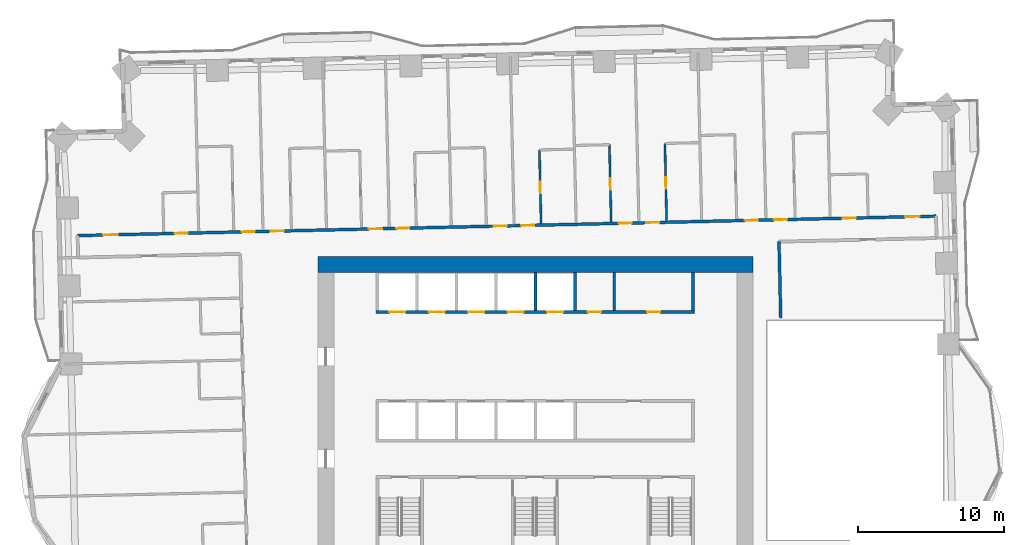
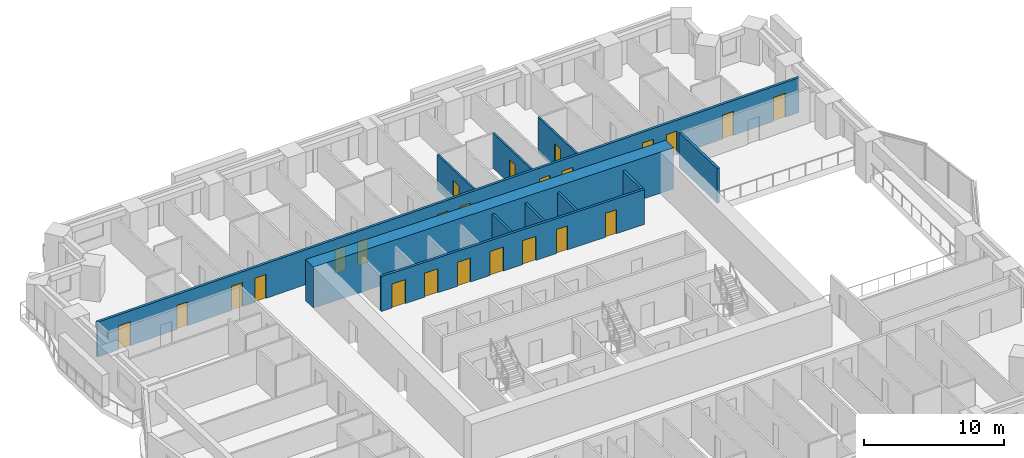
# One storey, part 10 of 16: 24 doors, 11 walls, 24 openings.
"""IFC4 building model written with IfcOpenShell, lengths in metres."""

from ifc_helpers import new_model, si_unit, direction, frame, frame_2d, origin, place, context, subcontext, project, spatial, rectangle, extrude, material, layer, layer_set, type_object, element, fill, save


model = new_model("IFC4")

# Units and contexts
model_context = context("Model", 3, precision=1e-05, world=origin(), true_north=direction((0.0, 1.0)))
body_context = subcontext(model_context, "Body", "Model", "MODEL_VIEW")
ifc_project = project(units=[si_unit("LENGTHUNIT", "METRE"), si_unit("AREAUNIT", "SQUARE_METRE"), si_unit("VOLUMEUNIT", "CUBIC_METRE"), si_unit("PLANEANGLEUNIT", "RADIAN"), si_unit("MASSUNIT", "GRAM", prefix="KILO")], contexts=[model_context])

# Site, building, storey
site_placement = place(None, origin())
site = spatial("IfcSite", under=ifc_project, at=site_placement, CompositionType="ELEMENT")
building_placement = place(site_placement, origin())
building = spatial("IfcBuilding", under=site, at=building_placement, Name="Mangrove Gate Tower", CompositionType="ELEMENT")
storey_placement = place(building_placement, frame((0.0, 0.0, 44.89990234375)))
storey = spatial("IfcBuildingStorey", under=building, at=storey_placement, Name="L10", CompositionType="ELEMENT", Elevation=44.89990234375)

# Walls
ifc_material_1 = material(Name="Concrete C32/40", Category="concrete")
ifc_layer_1 = layer(ifc_material_1, 0.199951171875)
ifc_layer_set_1 = layer_set([ifc_layer_1], Name="Core room wall 200 C32/40")
wall_type_1 = type_object("IfcWallType", Name="Core room wall 200 C32/40", PredefinedType="STANDARD", material=ifc_layer_set_1)
for number, where, z_axis, x_axis, name in (
    (1, (5.39990234375, 8.199951171875, 0.0), (0.0, 0.0, 1.0), (0.0, 1.0, 0.0), "WALL-L10-CORE-32"),
    (2, (10.800048828125, 8.199951171875, 0.0), (0.0, 0.0, 1.0), (0.0, 1.0, 0.0), "WALL-L10-CORE-33"),
):
    element("IfcWall", number, at=place(storey_placement, frame(where, z_axis=z_axis, x_axis=x_axis)), inside=storey, type_object=wall_type_1, Name=name, PredefinedType="STANDARD", context=body_context, shape_type="SweptSolid", body=[
        extrude(rectangle(XDim=2.60009765625, YDim=0.199951171875, at=frame_2d((1.300048828125, 0.0))), origin(), (0.0, 0.0, 1.0), 3.050048828125),
    ])

# Wall, openings, doors
ifc_material_2 = material(Name="Concrete C70/85", Category="concrete")
ifc_layer_2 = layer(ifc_material_2, 0.199951171875)
ifc_layer_set_2 = layer_set([ifc_layer_2], Name="Core shaft wall 200 C70/85")
wall_type_2 = type_object("IfcWallType", Name="Core shaft wall 200 C70/85", PredefinedType="SHEAR", material=ifc_layer_set_2)
wall_1_placement = place(storey_placement, frame((-10.89990234375, 8.10009765625, 0.0), z_axis=(0.0, 0.0, 1.0), x_axis=(1.0, 0.0, 0.0)))
wall_1 = element("IfcWall", 3, at=wall_1_placement, inside=storey, type_object=wall_type_2, Name="WALL-L10-CORE-8", PredefinedType="SHEAR", context=body_context, shape_type="SweptSolid", body=[
    extrude(rectangle(XDim=21.7998046875, YDim=0.199951171875, at=frame_2d((10.89990234375, 0.0))), origin(), (0.0, 0.0, 1.0), 3.050048828125),
])
opening_1_placement = place(wall_1_placement, frame((0.89990234375, 0.0, 0.0)))
opening_1 = element("IfcOpeningElement", 4, at=opening_1_placement, cuts=wall_1, Name="Opening LD", PredefinedType="OPENING", context=body_context, shape_type="SweptSolid", body=[
    extrude(rectangle(XDim=1.10009765625, YDim=2.10009765625, at=frame_2d((0.550048828125, 1.050048828125))), frame((0.0, 0.10986328125, 0.0), z_axis=(0.0, -1.0, 0.0), x_axis=(1.0, 0.0, 0.0)), (0.0, 0.0, 1.0), 0.219970703125),
])
opening_2_placement = place(wall_1_placement, frame((3.60009765625, 0.0, 0.0)))
opening_2 = element("IfcOpeningElement", 5, at=opening_2_placement, cuts=wall_1, Name="Opening LD", PredefinedType="OPENING", context=body_context, shape_type="SweptSolid", body=[
    extrude(rectangle(XDim=1.10009765625, YDim=2.10009765625, at=frame_2d((0.550048828125, 1.050048828125))), frame((0.0, 0.10986328125, 0.0), z_axis=(0.0, -1.0, 0.0), x_axis=(1.0, 0.0, 0.0)), (0.0, 0.0, 1.0), 0.219970703125),
])
opening_3_placement = place(wall_1_placement, frame((6.300048828125, 0.0, 0.0)))
opening_3 = element("IfcOpeningElement", 6, at=opening_3_placement, cuts=wall_1, Name="Opening LD", PredefinedType="OPENING", context=body_context, shape_type="SweptSolid", body=[
    extrude(rectangle(XDim=1.10009765625, YDim=2.10009765625, at=frame_2d((0.550048828125, 1.050048828125))), frame((0.0, 0.10986328125, 0.0), z_axis=(0.0, -1.0, 0.0), x_axis=(1.0, 0.0, 0.0)), (0.0, 0.0, 1.0), 0.219970703125),
])
opening_4_placement = place(wall_1_placement, frame((9.0, 0.0, 0.0)))
opening_4 = element("IfcOpeningElement", 7, at=opening_4_placement, cuts=wall_1, Name="Opening LD", PredefinedType="OPENING", context=body_context, shape_type="SweptSolid", body=[
    extrude(rectangle(XDim=1.10009765625, YDim=2.10009765625, at=frame_2d((0.550048828125, 1.050048828125))), frame((0.0, 0.10986328125, 0.0), z_axis=(0.0, -1.0, 0.0), x_axis=(1.0, 0.0, 0.0)), (0.0, 0.0, 1.0), 0.219970703125),
])
opening_5_placement = place(wall_1_placement, frame((11.699951171875, 0.0, 0.0)))
opening_5 = element("IfcOpeningElement", 8, at=opening_5_placement, cuts=wall_1, Name="Opening LD", PredefinedType="OPENING", context=body_context, shape_type="SweptSolid", body=[
    extrude(rectangle(XDim=1.10009765625, YDim=2.10009765625, at=frame_2d((0.550048828125, 1.050048828125))), frame((0.0, 0.10986328125, 0.0), z_axis=(0.0, -1.0, 0.0), x_axis=(1.0, 0.0, 0.0)), (0.0, 0.0, 1.0), 0.219970703125),
])
opening_6_placement = place(wall_1_placement, frame((14.5, 0.0, 0.0)))
opening_6 = element("IfcOpeningElement", 9, at=opening_6_placement, cuts=wall_1, Name="Opening KD", PredefinedType="OPENING", context=body_context, shape_type="SweptSolid", body=[
    extrude(rectangle(XDim=0.89990234375, YDim=2.10009765625, at=frame_2d((0.449951171875, 1.050048828125))), frame((0.0, 0.10986328125, 0.0), z_axis=(0.0, -1.0, 0.0), x_axis=(1.0, 0.0, 0.0)), (0.0, 0.0, 1.0), 0.219970703125),
])
opening_7_placement = place(wall_1_placement, frame((18.550048828125, 0.0, 0.0)))
opening_7 = element("IfcOpeningElement", 10, at=opening_7_placement, cuts=wall_1, Name="Opening RD", PredefinedType="OPENING", context=body_context, shape_type="SweptSolid", body=[
    extrude(rectangle(XDim=0.89990234375, YDim=2.10009765625, at=frame_2d((0.449951171875, 1.050048828125))), frame((0.0, 0.10986328125, 0.0), z_axis=(0.0, -1.0, 0.0), x_axis=(1.0, 0.0, 0.0)), (0.0, 0.0, 1.0), 0.219970703125),
])
ifc_material_3 = material(Name="Fire-rated steel door set", Category="steel")
door_type_1 = type_object("IfcDoorType", Name="Core room door FD30S 900x2100", OperationType="SINGLE_SWING_RIGHT", PredefinedType="DOOR", material=ifc_material_3)
door_1_placement = place(opening_6_placement, origin())
door_1 = element("IfcDoor", 11, at=door_1_placement, inside=storey, type_object=door_type_1, Name="Core room door Linen store", OperationType="SINGLE_SWING_RIGHT", OverallHeight=2.10009765625, OverallWidth=0.89990234375, PredefinedType="DOOR", context=body_context, shape_type="SweptSolid", body=[
    extrude(rectangle(XDim=0.89990234375, YDim=2.10009765625, at=frame_2d((0.449951171875, 1.050048828125))), frame((0.0, 0.02490234375, 0.0), z_axis=(0.0, -1.0, 0.0), x_axis=(1.0, 0.0, 0.0)), (0.0, 0.0, 1.0), 0.050048828125),
])
fill(opening_6, door_1)
ifc_material_4 = material(Name="Stainless steel 316", Category="steel")
door_type_2 = type_object("IfcDoorType", Name="Lift landing door 1100x2100", OperationType="SLIDING_TO_LEFT", PredefinedType="DOOR", material=ifc_material_4)
door_2_placement = place(opening_1_placement, origin())
door_2 = element("IfcDoor", 12, at=door_2_placement, inside=storey, type_object=door_type_2, Name="Landing door LD P06", OperationType="SLIDING_TO_LEFT", OverallHeight=2.10009765625, OverallWidth=1.10009765625, PredefinedType="DOOR", context=body_context, shape_type="SweptSolid", body=[
    extrude(rectangle(XDim=1.10009765625, YDim=2.10009765625, at=frame_2d((0.550048828125, 1.050048828125))), frame((0.0, 0.02490234375, 0.0), z_axis=(0.0, -1.0, 0.0), x_axis=(1.0, 0.0, 0.0)), (0.0, 0.0, 1.0), 0.050048828125),
])
fill(opening_1, door_2)
door_3_placement = place(opening_2_placement, origin())
door_3 = element("IfcDoor", 13, at=door_3_placement, inside=storey, type_object=door_type_2, Name="Landing door LD P07", OperationType="SLIDING_TO_LEFT", OverallHeight=2.10009765625, OverallWidth=1.10009765625, PredefinedType="DOOR", context=body_context, shape_type="SweptSolid", body=[
    extrude(rectangle(XDim=1.10009765625, YDim=2.10009765625, at=frame_2d((0.550048828125, 1.050048828125))), frame((0.0, 0.02490234375, 0.0), z_axis=(0.0, -1.0, 0.0), x_axis=(1.0, 0.0, 0.0)), (0.0, 0.0, 1.0), 0.050048828125),
])
fill(opening_2, door_3)
door_4_placement = place(opening_3_placement, origin())
door_4 = element("IfcDoor", 14, at=door_4_placement, inside=storey, type_object=door_type_2, Name="Landing door LD P08", OperationType="SLIDING_TO_LEFT", OverallHeight=2.10009765625, OverallWidth=1.10009765625, PredefinedType="DOOR", context=body_context, shape_type="SweptSolid", body=[
    extrude(rectangle(XDim=1.10009765625, YDim=2.10009765625, at=frame_2d((0.550048828125, 1.050048828125))), frame((0.0, 0.02490234375, 0.0), z_axis=(0.0, -1.0, 0.0), x_axis=(1.0, 0.0, 0.0)), (0.0, 0.0, 1.0), 0.050048828125),
])
fill(opening_3, door_4)
door_5_placement = place(opening_4_placement, origin())
door_5 = element("IfcDoor", 15, at=door_5_placement, inside=storey, type_object=door_type_2, Name="Landing door LD P09", OperationType="SLIDING_TO_LEFT", OverallHeight=2.10009765625, OverallWidth=1.10009765625, PredefinedType="DOOR", context=body_context, shape_type="SweptSolid", body=[
    extrude(rectangle(XDim=1.10009765625, YDim=2.10009765625, at=frame_2d((0.550048828125, 1.050048828125))), frame((0.0, 0.02490234375, 0.0), z_axis=(0.0, -1.0, 0.0), x_axis=(1.0, 0.0, 0.0)), (0.0, 0.0, 1.0), 0.050048828125),
])
fill(opening_4, door_5)
door_6_placement = place(opening_5_placement, origin())
door_6 = element("IfcDoor", 16, at=door_6_placement, inside=storey, type_object=door_type_2, Name="Landing door LD P10", OperationType="SLIDING_TO_LEFT", OverallHeight=2.10009765625, OverallWidth=1.10009765625, PredefinedType="DOOR", context=body_context, shape_type="SweptSolid", body=[
    extrude(rectangle(XDim=1.10009765625, YDim=2.10009765625, at=frame_2d((0.550048828125, 1.050048828125))), frame((0.0, 0.02490234375, 0.0), z_axis=(0.0, -1.0, 0.0), x_axis=(1.0, 0.0, 0.0)), (0.0, 0.0, 1.0), 0.050048828125),
])
fill(opening_5, door_6)
ifc_material_5 = material(Name="Fire-rated steel door set", Category="steel")
door_type_3 = type_object("IfcDoorType", Name="Riser door FD30S 900x2100", OperationType="SINGLE_SWING_LEFT", PredefinedType="DOOR", material=ifc_material_5)
door_7_placement = place(opening_7_placement, origin())
door_7 = element("IfcDoor", 17, at=door_7_placement, inside=storey, type_object=door_type_3, Name="Riser door Switch room", OperationType="SINGLE_SWING_LEFT", OverallHeight=2.10009765625, OverallWidth=0.89990234375, PredefinedType="DOOR", context=body_context, shape_type="SweptSolid", body=[
    extrude(rectangle(XDim=0.89990234375, YDim=2.10009765625, at=frame_2d((0.449951171875, 1.050048828125))), frame((0.0, 0.02490234375, 0.0), z_axis=(0.0, -1.0, 0.0), x_axis=(1.0, 0.0, 0.0)), (0.0, 0.0, 1.0), 0.050048828125),
])
fill(opening_7, door_7)

# Walls
for number, where, z_axis, x_axis, name in (
    (18, (0.0, 8.199951171875, 0.0), (0.0, 0.0, 1.0), (0.0, 1.0, 0.0), "WALL-L10-CORE-30"),
    (19, (2.699951171875, 8.199951171875, 0.0), (0.0, 0.0, 1.0), (0.0, 1.0, 0.0), "WALL-L10-CORE-31"),
):
    element("IfcWall", number, at=place(storey_placement, frame(where, z_axis=z_axis, x_axis=x_axis)), inside=storey, type_object=wall_type_2, Name=name, PredefinedType="SHEAR", context=body_context, shape_type="SweptSolid", body=[
        extrude(rectangle(XDim=2.60009765625, YDim=0.199951171875, at=frame_2d((1.300048828125, 0.0))), origin(), (0.0, 0.0, 1.0), 3.050048828125),
    ])
ifc_material_6 = material(Name="Concrete C70/85", Category="concrete")
ifc_layer_3 = layer(ifc_material_6, 1.10009765625)
ifc_layer_set_3 = layer_set([ifc_layer_3], Name="Core wall 1100 C70/85")
wall_type_3 = type_object("IfcWallType", Name="Core wall 1100 C70/85", PredefinedType="SHEAR", material=ifc_layer_set_3)
wall_2_placement = place(storey_placement, frame((-14.89990234375, 11.35009765625, 0.0), z_axis=(0.0, 0.0, 1.0), x_axis=(1.0, 0.0, 0.0)))
element("IfcWall", 20, at=wall_2_placement, inside=storey, type_object=wall_type_3, Name="WALL-L10-CORE-2", PredefinedType="SHEAR", context=body_context, shape_type="SweptSolid", body=[
    extrude(rectangle(XDim=29.7998046875, YDim=1.10009765625, at=frame_2d((14.89990234375, 0.0))), origin(), (0.0, 0.0, 1.0), 3.60009765625),
])
ifc_material_7 = material(Name="Gypsum board on steel stud, EI 60", Category="steel")
ifc_layer_4 = layer(ifc_material_7, 0.199951171875)
ifc_layer_set_4 = layer_set([ifc_layer_4], Name="Corridor wall EI 60")
wall_type_4 = type_object("IfcWallType", Name="Corridor wall EI 60", PredefinedType="PARTITIONING", material=ifc_layer_set_4)
wall_3_placement = place(storey_placement, frame((16.802978515625, 7.675048828125, 0.0), z_axis=(0.0, 0.0, 1.0), x_axis=(-0.022667483124, 0.999743059595, 0.0)))
element("IfcWall", 21, at=wall_3_placement, inside=storey, type_object=wall_type_4, Name="WALL-L10-053", PredefinedType="PARTITIONING", context=body_context, shape_type="SweptSolid", body=[
    extrude(rectangle(XDim=5.245361328125, YDim=0.199951171875, at=frame_2d((2.62255859375, 0.0))), origin(), (0.0, 0.0, 1.0), 3.050048828125),
])

# Wall, openings, doors
wall_4_placement = place(storey_placement, frame((-31.346923828125, 13.3291015625, 0.0), z_axis=(0.0, 0.0, 1.0), x_axis=(0.999742613079, 0.022687168058, 0.0)))
wall_4 = element("IfcWall", 22, at=wall_4_placement, inside=storey, type_object=wall_type_4, Name="WALL-L10-061", PredefinedType="PARTITIONING", context=body_context, shape_type="SweptSolid", body=[
    extrude(rectangle(XDim=58.799072265625, YDim=0.199951171875, at=frame_2d((29.3994140625, 0.0))), origin(), (0.0, 0.0, 1.0), 3.050048828125),
])
opening_8_placement = place(wall_4_placement, frame((56.675048828125, 0.0, 0.0)))
opening_8 = element("IfcOpeningElement", 23, at=opening_8_placement, cuts=wall_4, Name="Opening AD", PredefinedType="OPENING", context=body_context, shape_type="SweptSolid", body=[
    extrude(rectangle(XDim=1.0, YDim=2.10009765625, at=frame_2d((0.5, 1.050048828125))), frame((0.0, 0.10986328125, 0.0), z_axis=(0.0, -1.0, 0.0), x_axis=(1.0, 0.0, 0.0)), (0.0, 0.0, 1.0), 0.219970703125),
])
opening_9_placement = place(wall_4_placement, frame((52.39990234375, 0.0, 0.0)))
opening_9 = element("IfcOpeningElement", 24, at=opening_9_placement, cuts=wall_4, Name="Opening SD", PredefinedType="OPENING", context=body_context, shape_type="SweptSolid", body=[
    extrude(rectangle(XDim=0.89990234375, YDim=2.10009765625, at=frame_2d((0.449951171875, 1.050048828125))), frame((0.0, 0.10986328125, 0.0), z_axis=(0.0, -1.0, 0.0), x_axis=(1.0, 0.0, 0.0)), (0.0, 0.0, 1.0), 0.219970703125),
])
opening_10_placement = place(wall_4_placement, frame((47.699951171875, 0.0, 0.0)))
opening_10 = element("IfcOpeningElement", 25, at=opening_10_placement, cuts=wall_4, Name="Opening BD", PredefinedType="OPENING", context=body_context, shape_type="SweptSolid", body=[
    extrude(rectangle(XDim=0.89990234375, YDim=2.10009765625, at=frame_2d((0.449951171875, 1.050048828125))), frame((0.0, 0.10986328125, 0.0), z_axis=(0.0, -1.0, 0.0), x_axis=(1.0, 0.0, 0.0)), (0.0, 0.0, 1.0), 0.219970703125),
])
opening_11_placement = place(wall_4_placement, frame((45.699951171875, 0.0, 0.0)))
opening_11 = element("IfcOpeningElement", 26, at=opening_11_placement, cuts=wall_4, Name="Opening BD", PredefinedType="OPENING", context=body_context, shape_type="SweptSolid", body=[
    extrude(rectangle(XDim=0.89990234375, YDim=2.10009765625, at=frame_2d((0.449951171875, 1.050048828125))), frame((0.0, 0.10986328125, 0.0), z_axis=(0.0, -1.0, 0.0), x_axis=(1.0, 0.0, 0.0)), (0.0, 0.0, 1.0), 0.219970703125),
])
opening_12_placement = place(wall_4_placement, frame((38.949951171875, 0.0, 0.0)))
opening_12 = element("IfcOpeningElement", 27, at=opening_12_placement, cuts=wall_4, Name="Opening BD", PredefinedType="OPENING", context=body_context, shape_type="SweptSolid", body=[
    extrude(rectangle(XDim=0.89990234375, YDim=2.10009765625, at=frame_2d((0.449951171875, 1.050048828125))), frame((0.0, 0.10986328125, 0.0), z_axis=(0.0, -1.0, 0.0), x_axis=(1.0, 0.0, 0.0)), (0.0, 0.0, 1.0), 0.219970703125),
])
opening_13_placement = place(wall_4_placement, frame((37.050048828125, 0.0, 0.0)))
opening_13 = element("IfcOpeningElement", 28, at=opening_13_placement, cuts=wall_4, Name="Opening BD", PredefinedType="OPENING", context=body_context, shape_type="SweptSolid", body=[
    extrude(rectangle(XDim=0.89990234375, YDim=2.10009765625, at=frame_2d((0.449951171875, 1.050048828125))), frame((0.0, 0.10986328125, 0.0), z_axis=(0.0, -1.0, 0.0), x_axis=(1.0, 0.0, 0.0)), (0.0, 0.0, 1.0), 0.219970703125),
])
opening_14_placement = place(wall_4_placement, frame((30.375, 0.0, 0.0)))
opening_14 = element("IfcOpeningElement", 29, at=opening_14_placement, cuts=wall_4, Name="Opening BD", PredefinedType="OPENING", context=body_context, shape_type="SweptSolid", body=[
    extrude(rectangle(XDim=0.89990234375, YDim=2.10009765625, at=frame_2d((0.449951171875, 1.050048828125))), frame((0.0, 0.10986328125, 0.0), z_axis=(0.0, -1.0, 0.0), x_axis=(1.0, 0.0, 0.0)), (0.0, 0.0, 1.0), 0.219970703125),
])
opening_15_placement = place(wall_4_placement, frame((28.5, 0.0, 0.0)))
opening_15 = element("IfcOpeningElement", 30, at=opening_15_placement, cuts=wall_4, Name="Opening BD", PredefinedType="OPENING", context=body_context, shape_type="SweptSolid", body=[
    extrude(rectangle(XDim=0.89990234375, YDim=2.10009765625, at=frame_2d((0.449951171875, 1.050048828125))), frame((0.0, 0.10986328125, 0.0), z_axis=(0.0, -1.0, 0.0), x_axis=(1.0, 0.0, 0.0)), (0.0, 0.0, 1.0), 0.219970703125),
])
opening_16_placement = place(wall_4_placement, frame((21.824951171875, 0.0, 0.0)))
opening_16 = element("IfcOpeningElement", 31, at=opening_16_placement, cuts=wall_4, Name="Opening BD", PredefinedType="OPENING", context=body_context, shape_type="SweptSolid", body=[
    extrude(rectangle(XDim=0.89990234375, YDim=2.10009765625, at=frame_2d((0.449951171875, 1.050048828125))), frame((0.0, 0.10986328125, 0.0), z_axis=(0.0, -1.0, 0.0), x_axis=(1.0, 0.0, 0.0)), (0.0, 0.0, 1.0), 0.219970703125),
])
opening_17_placement = place(wall_4_placement, frame((19.949951171875, 0.0, 0.0)))
opening_17 = element("IfcOpeningElement", 32, at=opening_17_placement, cuts=wall_4, Name="Opening BD", PredefinedType="OPENING", context=body_context, shape_type="SweptSolid", body=[
    extrude(rectangle(XDim=0.89990234375, YDim=2.10009765625, at=frame_2d((0.449951171875, 1.050048828125))), frame((0.0, 0.10986328125, 0.0), z_axis=(0.0, -1.0, 0.0), x_axis=(1.0, 0.0, 0.0)), (0.0, 0.0, 1.0), 0.219970703125),
])
opening_18_placement = place(wall_4_placement, frame((13.22509765625, 0.0, 0.0)))
opening_18 = element("IfcOpeningElement", 33, at=opening_18_placement, cuts=wall_4, Name="Opening BD", PredefinedType="OPENING", context=body_context, shape_type="SweptSolid", body=[
    extrude(rectangle(XDim=0.89990234375, YDim=2.10009765625, at=frame_2d((0.449951171875, 1.050048828125))), frame((0.0, 0.10986328125, 0.0), z_axis=(0.0, -1.0, 0.0), x_axis=(1.0, 0.0, 0.0)), (0.0, 0.0, 1.0), 0.219970703125),
])
opening_19_placement = place(wall_4_placement, frame((11.25, 0.0, 0.0)))
opening_19 = element("IfcOpeningElement", 34, at=opening_19_placement, cuts=wall_4, Name="Opening BD", PredefinedType="OPENING", context=body_context, shape_type="SweptSolid", body=[
    extrude(rectangle(XDim=0.89990234375, YDim=2.10009765625, at=frame_2d((0.449951171875, 1.050048828125))), frame((0.0, 0.10986328125, 0.0), z_axis=(0.0, -1.0, 0.0), x_axis=(1.0, 0.0, 0.0)), (0.0, 0.0, 1.0), 0.219970703125),
])
opening_20_placement = place(wall_4_placement, frame((1.75, 0.0, 0.0)))
opening_20 = element("IfcOpeningElement", 35, at=opening_20_placement, cuts=wall_4, Name="Opening AD", PredefinedType="OPENING", context=body_context, shape_type="SweptSolid", body=[
    extrude(rectangle(XDim=1.0, YDim=2.10009765625, at=frame_2d((0.5, 1.050048828125))), frame((0.0, 0.10986328125, 0.0), z_axis=(0.0, -1.0, 0.0), x_axis=(1.0, 0.0, 0.0)), (0.0, 0.0, 1.0), 0.219970703125),
])
opening_21_placement = place(wall_4_placement, frame((6.64990234375, 0.0, 0.0)))
opening_21 = element("IfcOpeningElement", 36, at=opening_21_placement, cuts=wall_4, Name="Opening SD", PredefinedType="OPENING", context=body_context, shape_type="SweptSolid", body=[
    extrude(rectangle(XDim=0.89990234375, YDim=2.10009765625, at=frame_2d((0.449951171875, 1.050048828125))), frame((0.0, 0.10986328125, 0.0), z_axis=(0.0, -1.0, 0.0), x_axis=(1.0, 0.0, 0.0)), (0.0, 0.0, 1.0), 0.219970703125),
])
ifc_material_8 = material(Name="Timber door leaf", Category="wood")
door_type_4 = type_object("IfcDoorType", Name="Amenity door 1000", OperationType="SINGLE_SWING_LEFT", PredefinedType="DOOR", material=ifc_material_8)
door_8_placement = place(opening_8_placement, origin())
door_8 = element("IfcDoor", 37, at=door_8_placement, inside=storey, type_object=door_type_4, Name="DOOR-L10-KIT-c3c", OperationType="SINGLE_SWING_RIGHT", OverallHeight=2.10009765625, OverallWidth=1.0, PredefinedType="DOOR", context=body_context, shape_type="SweptSolid", body=[
    extrude(rectangle(XDim=1.0, YDim=2.10009765625, at=frame_2d((0.5, 1.050048828125))), frame((0.0, 0.02490234375, 0.0), z_axis=(0.0, -1.0, 0.0), x_axis=(1.0, 0.0, 0.0)), (0.0, 0.0, 1.0), 0.050048828125),
])
fill(opening_8, door_8)
door_9_placement = place(opening_20_placement, origin())
door_9 = element("IfcDoor", 38, at=door_9_placement, inside=storey, type_object=door_type_4, Name="DOOR-L10-LNG-c5a", OperationType="SINGLE_SWING_LEFT", OverallHeight=2.10009765625, OverallWidth=1.0, PredefinedType="DOOR", context=body_context, shape_type="SweptSolid", body=[
    extrude(rectangle(XDim=1.0, YDim=2.10009765625, at=frame_2d((0.5, 1.050048828125))), frame((0.0, 0.02490234375, 0.0), z_axis=(0.0, -1.0, 0.0), x_axis=(1.0, 0.0, 0.0)), (0.0, 0.0, 1.0), 0.050048828125),
])
fill(opening_20, door_9)
ifc_material_9 = material(Name="Timber door leaf", Category="wood")
door_type_5 = type_object("IfcDoorType", Name="Bedroom door 900", OperationType="SINGLE_SWING_LEFT", PredefinedType="DOOR", material=ifc_material_9)
door_10_placement = place(opening_10_placement, origin())
door_10 = element("IfcDoor", 39, at=door_10_placement, inside=storey, type_object=door_type_5, Name="DOOR-L10-BED-c310", OperationType="SINGLE_SWING_RIGHT", OverallHeight=2.10009765625, OverallWidth=0.89990234375, PredefinedType="DOOR", context=body_context, shape_type="SweptSolid", body=[
    extrude(rectangle(XDim=0.89990234375, YDim=2.10009765625, at=frame_2d((0.449951171875, 1.050048828125))), frame((0.0, 0.02490234375, 0.0), z_axis=(0.0, -1.0, 0.0), x_axis=(1.0, 0.0, 0.0)), (0.0, 0.0, 1.0), 0.050048828125),
])
fill(opening_10, door_10)
door_11_placement = place(opening_11_placement, origin())
door_11 = element("IfcDoor", 40, at=door_11_placement, inside=storey, type_object=door_type_5, Name="DOOR-L10-BED-c311", OperationType="SINGLE_SWING_LEFT", OverallHeight=2.10009765625, OverallWidth=0.89990234375, PredefinedType="DOOR", context=body_context, shape_type="SweptSolid", body=[
    extrude(rectangle(XDim=0.89990234375, YDim=2.10009765625, at=frame_2d((0.449951171875, 1.050048828125))), frame((0.0, 0.02490234375, 0.0), z_axis=(0.0, -1.0, 0.0), x_axis=(1.0, 0.0, 0.0)), (0.0, 0.0, 1.0), 0.050048828125),
])
fill(opening_11, door_11)
door_12_placement = place(opening_12_placement, origin())
door_12 = element("IfcDoor", 41, at=door_12_placement, inside=storey, type_object=door_type_5, Name="DOOR-L10-BED-c312", OperationType="SINGLE_SWING_RIGHT", OverallHeight=2.10009765625, OverallWidth=0.89990234375, PredefinedType="DOOR", context=body_context, shape_type="SweptSolid", body=[
    extrude(rectangle(XDim=0.89990234375, YDim=2.10009765625, at=frame_2d((0.449951171875, 1.050048828125))), frame((0.0, 0.02490234375, 0.0), z_axis=(0.0, -1.0, 0.0), x_axis=(1.0, 0.0, 0.0)), (0.0, 0.0, 1.0), 0.050048828125),
])
fill(opening_12, door_12)
door_13_placement = place(opening_13_placement, origin())
door_13 = element("IfcDoor", 42, at=door_13_placement, inside=storey, type_object=door_type_5, Name="DOOR-L10-BED-c413", OperationType="SINGLE_SWING_LEFT", OverallHeight=2.10009765625, OverallWidth=0.89990234375, PredefinedType="DOOR", context=body_context, shape_type="SweptSolid", body=[
    extrude(rectangle(XDim=0.89990234375, YDim=2.10009765625, at=frame_2d((0.449951171875, 1.050048828125))), frame((0.0, 0.02490234375, 0.0), z_axis=(0.0, -1.0, 0.0), x_axis=(1.0, 0.0, 0.0)), (0.0, 0.0, 1.0), 0.050048828125),
])
fill(opening_13, door_13)
door_14_placement = place(opening_14_placement, origin())
door_14 = element("IfcDoor", 43, at=door_14_placement, inside=storey, type_object=door_type_5, Name="DOOR-L10-BED-c414", OperationType="SINGLE_SWING_RIGHT", OverallHeight=2.10009765625, OverallWidth=0.89990234375, PredefinedType="DOOR", context=body_context, shape_type="SweptSolid", body=[
    extrude(rectangle(XDim=0.89990234375, YDim=2.10009765625, at=frame_2d((0.449951171875, 1.050048828125))), frame((0.0, 0.02490234375, 0.0), z_axis=(0.0, -1.0, 0.0), x_axis=(1.0, 0.0, 0.0)), (0.0, 0.0, 1.0), 0.050048828125),
])
fill(opening_14, door_14)
door_15_placement = place(opening_15_placement, origin())
door_15 = element("IfcDoor", 44, at=door_15_placement, inside=storey, type_object=door_type_5, Name="DOOR-L10-BED-c415", OperationType="SINGLE_SWING_LEFT", OverallHeight=2.10009765625, OverallWidth=0.89990234375, PredefinedType="DOOR", context=body_context, shape_type="SweptSolid", body=[
    extrude(rectangle(XDim=0.89990234375, YDim=2.10009765625, at=frame_2d((0.449951171875, 1.050048828125))), frame((0.0, 0.02490234375, 0.0), z_axis=(0.0, -1.0, 0.0), x_axis=(1.0, 0.0, 0.0)), (0.0, 0.0, 1.0), 0.050048828125),
])
fill(opening_15, door_15)
door_16_placement = place(opening_16_placement, origin())
door_16 = element("IfcDoor", 45, at=door_16_placement, inside=storey, type_object=door_type_5, Name="DOOR-L10-BED-c416", OperationType="SINGLE_SWING_RIGHT", OverallHeight=2.10009765625, OverallWidth=0.89990234375, PredefinedType="DOOR", context=body_context, shape_type="SweptSolid", body=[
    extrude(rectangle(XDim=0.89990234375, YDim=2.10009765625, at=frame_2d((0.449951171875, 1.050048828125))), frame((0.0, 0.02490234375, 0.0), z_axis=(0.0, -1.0, 0.0), x_axis=(1.0, 0.0, 0.0)), (0.0, 0.0, 1.0), 0.050048828125),
])
fill(opening_16, door_16)
door_17_placement = place(opening_17_placement, origin())
door_17 = element("IfcDoor", 46, at=door_17_placement, inside=storey, type_object=door_type_5, Name="DOOR-L10-BED-c517", OperationType="SINGLE_SWING_LEFT", OverallHeight=2.10009765625, OverallWidth=0.89990234375, PredefinedType="DOOR", context=body_context, shape_type="SweptSolid", body=[
    extrude(rectangle(XDim=0.89990234375, YDim=2.10009765625, at=frame_2d((0.449951171875, 1.050048828125))), frame((0.0, 0.02490234375, 0.0), z_axis=(0.0, -1.0, 0.0), x_axis=(1.0, 0.0, 0.0)), (0.0, 0.0, 1.0), 0.050048828125),
])
fill(opening_17, door_17)
door_18_placement = place(opening_18_placement, origin())
door_18 = element("IfcDoor", 47, at=door_18_placement, inside=storey, type_object=door_type_5, Name="DOOR-L10-BED-c518", OperationType="SINGLE_SWING_RIGHT", OverallHeight=2.10009765625, OverallWidth=0.89990234375, PredefinedType="DOOR", context=body_context, shape_type="SweptSolid", body=[
    extrude(rectangle(XDim=0.89990234375, YDim=2.10009765625, at=frame_2d((0.449951171875, 1.050048828125))), frame((0.0, 0.02490234375, 0.0), z_axis=(0.0, -1.0, 0.0), x_axis=(1.0, 0.0, 0.0)), (0.0, 0.0, 1.0), 0.050048828125),
])
fill(opening_18, door_18)
door_19_placement = place(opening_19_placement, origin())
door_19 = element("IfcDoor", 48, at=door_19_placement, inside=storey, type_object=door_type_5, Name="DOOR-L10-BED-c519", OperationType="SINGLE_SWING_LEFT", OverallHeight=2.10009765625, OverallWidth=0.89990234375, PredefinedType="DOOR", context=body_context, shape_type="SweptSolid", body=[
    extrude(rectangle(XDim=0.89990234375, YDim=2.10009765625, at=frame_2d((0.449951171875, 1.050048828125))), frame((0.0, 0.02490234375, 0.0), z_axis=(0.0, -1.0, 0.0), x_axis=(1.0, 0.0, 0.0)), (0.0, 0.0, 1.0), 0.050048828125),
])
fill(opening_19, door_19)
ifc_material_10 = material(Name="Timber door leaf", Category="wood")
door_type_6 = type_object("IfcDoorType", Name="Service room door 900", OperationType="SINGLE_SWING_LEFT", PredefinedType="DOOR", material=ifc_material_10)
door_20_placement = place(opening_9_placement, origin())
door_20 = element("IfcDoor", 49, at=door_20_placement, inside=storey, type_object=door_type_6, Name="DOOR-L10-AWC-c3a", OperationType="SINGLE_SWING_RIGHT", OverallHeight=2.10009765625, OverallWidth=0.89990234375, PredefinedType="DOOR", context=body_context, shape_type="SweptSolid", body=[
    extrude(rectangle(XDim=0.89990234375, YDim=2.10009765625, at=frame_2d((0.449951171875, 1.050048828125))), frame((0.0, 0.02490234375, 0.0), z_axis=(0.0, -1.0, 0.0), x_axis=(1.0, 0.0, 0.0)), (0.0, 0.0, 1.0), 0.050048828125),
])
fill(opening_9, door_20)
door_21_placement = place(opening_21_placement, origin())
door_21 = element("IfcDoor", 50, at=door_21_placement, inside=storey, type_object=door_type_6, Name="DOOR-L10-WC-c5a", OperationType="SINGLE_SWING_LEFT", OverallHeight=2.10009765625, OverallWidth=0.89990234375, PredefinedType="DOOR", context=body_context, shape_type="SweptSolid", body=[
    extrude(rectangle(XDim=0.89990234375, YDim=2.10009765625, at=frame_2d((0.449951171875, 1.050048828125))), frame((0.0, 0.02490234375, 0.0), z_axis=(0.0, -1.0, 0.0), x_axis=(1.0, 0.0, 0.0)), (0.0, 0.0, 1.0), 0.050048828125),
])
fill(opening_21, door_21)

# Wall, opening, door
ifc_material_11 = material(Name="Gypsum board on steel stud, EI 60", Category="steel")
ifc_layer_5 = layer(ifc_material_11, 0.14990234375)
ifc_layer_set_5 = layer_set([ifc_layer_5], Name="Party wall 150 EI 60")
wall_type_5 = type_object("IfcWallType", Name="Party wall 150 EI 60", PredefinedType="PARTITIONING", material=ifc_layer_set_5)
wall_5_placement = place(storey_placement, frame((0.39208984375, 14.14892578125, 0.0), z_axis=(0.0, 0.0, 1.0), x_axis=(-0.022768623305, 0.999740761294, 0.0)))
wall_5 = element("IfcWall", 51, at=wall_5_placement, inside=storey, type_object=wall_type_5, Name="WALL-L10-074", PredefinedType="PARTITIONING", context=body_context, shape_type="SweptSolid", body=[
    extrude(rectangle(XDim=5.05029296875, YDim=0.14990234375, at=frame_2d((2.525146484375, 0.0))), origin(), (0.0, 0.0, 1.0), 3.050048828125),
])
opening_22_placement = place(wall_5_placement, frame((2.074951171875, 0.0, 0.0)))
opening_22 = element("IfcOpeningElement", 52, at=opening_22_placement, cuts=wall_5, Name="Opening ED", PredefinedType="OPENING", context=body_context, shape_type="SweptSolid", body=[
    extrude(rectangle(XDim=0.800048828125, YDim=2.10009765625, at=frame_2d((0.39990234375, 1.050048828125))), frame((0.0, 0.0849609375, 0.0), z_axis=(0.0, -1.0, 0.0), x_axis=(1.0, 0.0, 0.0)), (0.0, 0.0, 1.0), 0.169921875),
])
ifc_material_12 = material(Name="Timber door leaf", Category="wood")
door_type_7 = type_object("IfcDoorType", Name="En-suite door 800", OperationType="SINGLE_SWING_LEFT", PredefinedType="DOOR", material=ifc_material_12)
door_22_placement = place(opening_22_placement, origin())
door_22 = element("IfcDoor", 53, at=door_22_placement, inside=storey, type_object=door_type_7, Name="DOOR-L10-ENS-c414", OperationType="SINGLE_SWING_RIGHT", OverallHeight=2.10009765625, OverallWidth=0.800048828125, PredefinedType="DOOR", context=body_context, shape_type="SweptSolid", body=[
    extrude(rectangle(XDim=0.800048828125, YDim=2.10009765625, at=frame_2d((0.39990234375, 1.050048828125))), frame((0.0, 0.02490234375, 0.0), z_axis=(0.0, -1.0, 0.0), x_axis=(1.0, 0.0, 0.0)), (0.0, 0.0, 1.0), 0.050048828125),
])
fill(opening_22, door_22)

wall_6_placement = place(storey_placement, frame((5.19091796875, 14.258056640625, 0.0), z_axis=(0.0, 0.0, 1.0), x_axis=(-0.022616771387, 0.999744208111, 0.0)))
wall_6 = element("IfcWall", 54, at=wall_6_placement, inside=storey, type_object=wall_type_5, Name="WALL-L10-076", PredefinedType="PARTITIONING", context=body_context, shape_type="SweptSolid", body=[
    extrude(rectangle(XDim=5.30029296875, YDim=0.14990234375, at=frame_2d((2.650146484375, 0.0))), origin(), (0.0, 0.0, 1.0), 3.050048828125),
])
opening_23_placement = place(wall_6_placement, frame((2.199951171875, 0.0, 0.0)))
opening_23 = element("IfcOpeningElement", 55, at=opening_23_placement, cuts=wall_6, Name="Opening ED", PredefinedType="OPENING", context=body_context, shape_type="SweptSolid", body=[
    extrude(rectangle(XDim=0.800048828125, YDim=2.10009765625, at=frame_2d((0.39990234375, 1.050048828125))), frame((0.0, 0.0849609375, 0.0), z_axis=(0.0, -1.0, 0.0), x_axis=(1.0, 0.0, 0.0)), (0.0, 0.0, 1.0), 0.169921875),
])
door_23_placement = place(opening_23_placement, origin())
door_23 = element("IfcDoor", 56, at=door_23_placement, inside=storey, type_object=door_type_7, Name="DOOR-L10-ENS-c413", OperationType="SINGLE_SWING_LEFT", OverallHeight=2.10009765625, OverallWidth=0.800048828125, PredefinedType="DOOR", context=body_context, shape_type="SweptSolid", body=[
    extrude(rectangle(XDim=0.800048828125, YDim=2.10009765625, at=frame_2d((0.39990234375, 1.050048828125))), frame((0.0, 0.02490234375, 0.0), z_axis=(0.0, -1.0, 0.0), x_axis=(1.0, 0.0, 0.0)), (0.0, 0.0, 1.0), 0.050048828125),
])
fill(opening_23, door_23)

wall_7_placement = place(storey_placement, frame((8.989990234375, 14.343994140625, 0.0), z_axis=(0.0, 0.0, 1.0), x_axis=(-0.022615729912, 0.999744231672, 0.0)))
wall_7 = element("IfcWall", 57, at=wall_7_placement, inside=storey, type_object=wall_type_5, Name="WALL-L10-078", PredefinedType="PARTITIONING", context=body_context, shape_type="SweptSolid", body=[
    extrude(rectangle(XDim=5.300537109375, YDim=0.14990234375, at=frame_2d((2.650390625, 0.0))), origin(), (0.0, 0.0, 1.0), 3.050048828125),
])
opening_24_placement = place(wall_7_placement, frame((2.199951171875, 0.0, 0.0)))
opening_24 = element("IfcOpeningElement", 58, at=opening_24_placement, cuts=wall_7, Name="Opening ED", PredefinedType="OPENING", context=body_context, shape_type="SweptSolid", body=[
    extrude(rectangle(XDim=0.800048828125, YDim=2.10009765625, at=frame_2d((0.39990234375, 1.050048828125))), frame((0.0, 0.0849609375, 0.0), z_axis=(0.0, -1.0, 0.0), x_axis=(1.0, 0.0, 0.0)), (0.0, 0.0, 1.0), 0.169921875),
])
door_24_placement = place(opening_24_placement, origin())
door_24 = element("IfcDoor", 59, at=door_24_placement, inside=storey, type_object=door_type_7, Name="DOOR-L10-ENS-c312", OperationType="SINGLE_SWING_RIGHT", OverallHeight=2.10009765625, OverallWidth=0.800048828125, PredefinedType="DOOR", context=body_context, shape_type="SweptSolid", body=[
    extrude(rectangle(XDim=0.800048828125, YDim=2.10009765625, at=frame_2d((0.39990234375, 1.050048828125))), frame((0.0, 0.02490234375, 0.0), z_axis=(0.0, -1.0, 0.0), x_axis=(1.0, 0.0, 0.0)), (0.0, 0.0, 1.0), 0.050048828125),
])
fill(opening_24, door_24)

save(model, "model.ifc")
